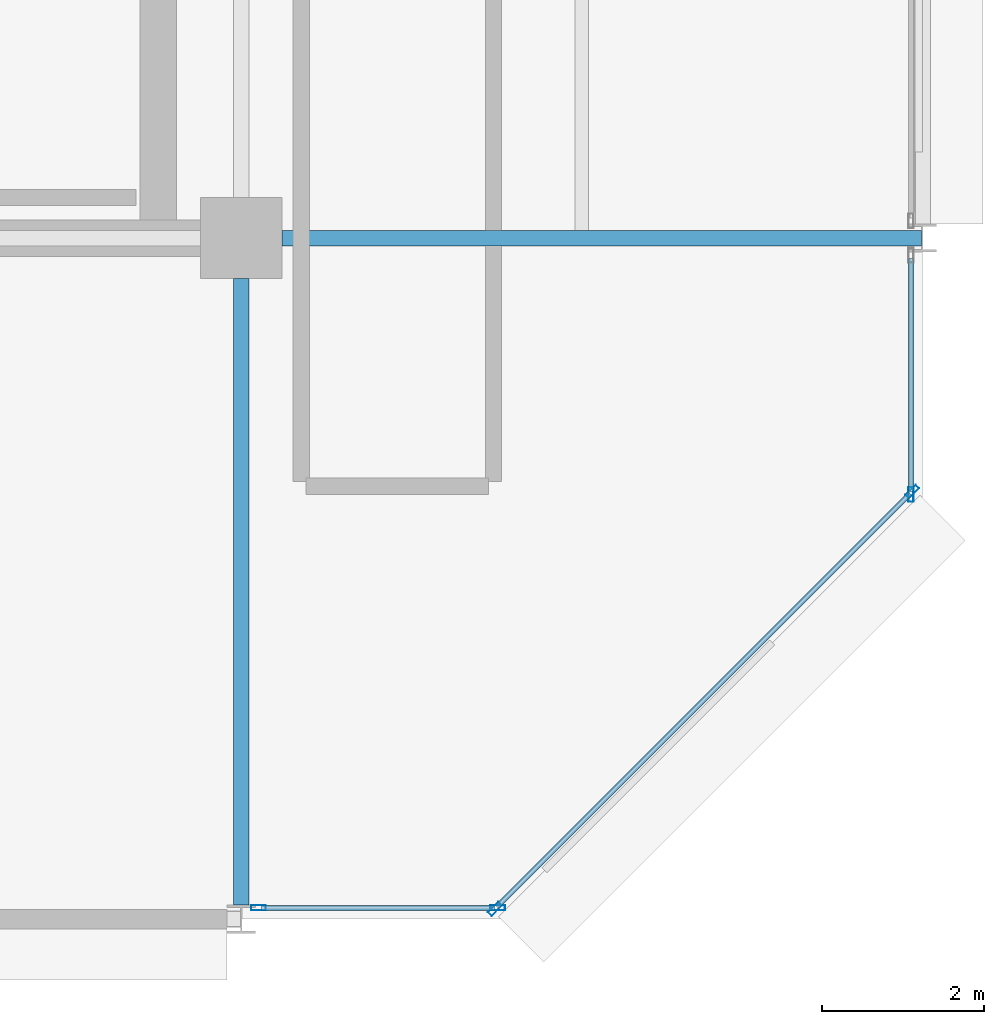
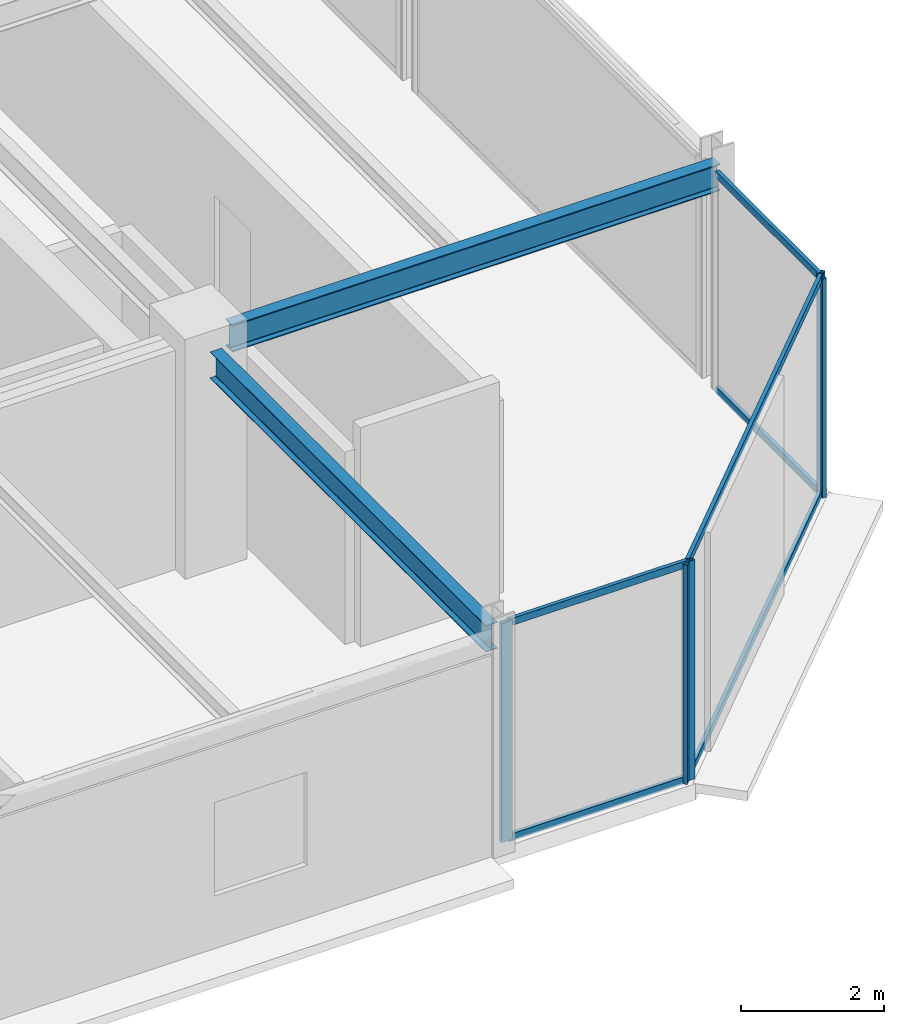
# One storey, part 13 of 26: 11 members, 2 beams, 3 elements without a shape of their own.
"""IFC4 building model written with IfcOpenShell, lengths in metres."""

from ifc_helpers import new_model, si_unit, direction, frame, origin, origin_2d, place, context, subcontext, project, spatial, hollow_rectangle, i_section, extrude, material, layer, layer_set, material_profile, profile_set, type_object, element, aggregate, save


model = new_model("IFC4")

# Units and contexts
model_context = context("Model", 3, precision=1e-05, world=origin(), true_north=direction((0.0, 1.0)))
body_context = subcontext(model_context, "Body", "Model", "MODEL_VIEW")
ifc_project = project(units=[si_unit("LENGTHUNIT", "METRE"), si_unit("AREAUNIT", "SQUARE_METRE"), si_unit("VOLUMEUNIT", "CUBIC_METRE"), si_unit("PLANEANGLEUNIT", "RADIAN"), si_unit("MASSUNIT", "GRAM", prefix="KILO")], contexts=[model_context])

# Site, building, storey
site_placement = place(None, origin())
site = spatial("IfcSite", under=ifc_project, at=site_placement, CompositionType="ELEMENT")
building_placement = place(site_placement, origin())
building = spatial("IfcBuilding", under=site, at=building_placement, Name="Nerrivon Quay Data Exchange", CompositionType="ELEMENT")
storey_placement = place(building_placement, frame((0.0, 0.0, 241.10009765625)))
storey = spatial("IfcBuildingStorey", under=building, at=storey_placement, Name="L57", CompositionType="ELEMENT", Elevation=241.10009765625)

# Beams
ifc_material_1 = material(Name="Steel Grade 350", Category="steel")
ifc_material_profile_1 = material_profile(ifc_material_1, i_section(OverallWidth=0.19091796875, OverallDepth=0.4599609375, WebThickness=0.010009765625, FlangeThickness=0.01611328125, FilletRadius=0.011474609375, at=origin_2d()), Name="460UB82.1")
ifc_profile_set_1 = profile_set([ifc_material_profile_1], Name="Steel Grade 350")
beam_type_1 = type_object("IfcBeamType", Name="BM-G5-460UB82", PredefinedType="BEAM", material=ifc_profile_set_1)
beam_1_placement = place(storey_placement, frame((34.10009765625, 8.39990234375, 3.52001953125), z_axis=(1.0, 0.0, 0.0), x_axis=(0.0, 1.0, 0.0)))
element("IfcBeam", 1, at=beam_1_placement, inside=storey, type_object=beam_type_1, Name="L57 EW Girder Y=8.4 (33.6..42.0)", PredefinedType="BEAM", context=body_context, shape_type="SweptSolid", body=[
    extrude(i_section(OverallWidth=0.19091796875, OverallDepth=0.4599609375, WebThickness=0.010009765625, FlangeThickness=0.01611328125, FilletRadius=0.011474609375, at=origin_2d()), origin(), (0.0, 0.0, 1.0), 7.889892578125),
])
ifc_material_profile_2 = material_profile(ifc_material_1, i_section(OverallWidth=0.18994140625, OverallDepth=0.4541015625, WebThickness=0.008544921875, FlangeThickness=0.0126953125, FilletRadius=0.011474609375, at=origin_2d()), Name="460UB67.1")
ifc_profile_set_2 = profile_set([ifc_material_profile_2], Name="Steel Grade 350")
beam_type_2 = type_object("IfcBeamType", Name="BM-G6-460UB67", PredefinedType="BEAM", material=ifc_profile_set_2)
beam_2_placement = place(storey_placement, frame((33.60009765625, 0.175048828125, 3.52294921875), z_axis=(0.0, 1.0, 0.0), x_axis=(-1.0, 0.0, 0.0)))
element("IfcBeam", 2, at=beam_2_placement, inside=storey, type_object=beam_type_2, Name="L57 NS Girder X=33.6 (0.0..8.4)", PredefinedType="BEAM", context=body_context, shape_type="SweptSolid", body=[
    extrude(i_section(OverallWidth=0.18994140625, OverallDepth=0.4541015625, WebThickness=0.008544921875, FlangeThickness=0.0126953125, FilletRadius=0.011474609375, at=origin_2d()), origin(), (0.0, 0.0, 1.0), 7.724853515625),
])

# Curtain wall, members
ifc_material_2 = material(Name="Anodised aluminium 6063-T6", Category="aluminium")
ifc_layer = layer(ifc_material_2, 0.195068359375)
ifc_layer_set = layer_set([ifc_layer], Name="Anodised aluminium 6063-T6")
curtain_wall_type = type_object("IfcCurtainWallType", Name="CW-SYS-06", PredefinedType="NOTDEFINED", material=ifc_layer_set)
curtain_wall_1_placement = place(storey_placement, origin())
curtain_wall_1 = element("IfcCurtainWall", 3, at=curtain_wall_1_placement, inside=storey, type_object=curtain_wall_type, Name="L57 Unitised Curtain Wall 1", PredefinedType="NOTDEFINED")
ifc_material_profile_3 = material_profile(ifc_material_2, hollow_rectangle(XDim=0.06494140625, YDim=0.179931640625, WallThickness=0.00341796875, at=origin_2d()), Name="ALU-MULL-180x65")
ifc_profile_set_3 = profile_set([ifc_material_profile_3], Name="Anodised aluminium 6063-T6")
member_type_1 = type_object("IfcMemberType", Name="CWM-180x65", PredefinedType="MULLION", material=ifc_profile_set_3)
member_1_placement = place(storey_placement, frame((41.87451171875, 5.2724609375, 0.0), z_axis=(0.0, 0.0, 1.0), x_axis=(0.707106781187, -0.707106781187, 0.0)))
member_1 = element("IfcMember", 4, at=member_1_placement, type_object=member_type_1, Name="CW06 mullion 1", PredefinedType="MULLION", context=body_context, shape_type="SweptSolid", body=[
    extrude(hollow_rectangle(XDim=0.06494140625, YDim=0.179931640625, WallThickness=0.00341796875, at=origin_2d()), origin(), (0.0, 0.0, 1.0), 3.75),
])
member_2_placement = place(storey_placement, frame((36.7275390625, 0.12548828125, 0.0), z_axis=(0.0, 0.0, 1.0), x_axis=(0.707106781187, -0.707106781187, 0.0)))
member_2 = element("IfcMember", 5, at=member_2_placement, type_object=member_type_1, Name="CW06 mullion 2", PredefinedType="MULLION", context=body_context, shape_type="SweptSolid", body=[
    extrude(hollow_rectangle(XDim=0.06494140625, YDim=0.179931640625, WallThickness=0.00341796875, at=origin_2d()), origin(), (0.0, 0.0, 1.0), 3.75),
])

curtain_wall_2_placement = place(storey_placement, origin())
curtain_wall_2 = element("IfcCurtainWall", 6, at=curtain_wall_2_placement, inside=storey, type_object=curtain_wall_type, Name="L57 Unitised Curtain Wall 2", PredefinedType="NOTDEFINED")
member_3_placement = place(storey_placement, frame((36.762451171875, 0.139892578125, 0.0), z_axis=(0.0, 0.0, 1.0), x_axis=(0.0, -1.0, 0.0)))
member_3 = element("IfcMember", 7, at=member_3_placement, type_object=member_type_1, Name="CW06 mullion 1", PredefinedType="MULLION", context=body_context, shape_type="SweptSolid", body=[
    extrude(hollow_rectangle(XDim=0.06494140625, YDim=0.179931640625, WallThickness=0.00341796875, at=origin_2d()), origin(), (0.0, 0.0, 1.0), 3.75),
])
member_4_placement = place(storey_placement, frame((33.8125, 0.139892578125, 0.0), z_axis=(0.0, 0.0, 1.0), x_axis=(0.0, -1.0, 0.0)))
member_4 = element("IfcMember", 8, at=member_4_placement, type_object=member_type_1, Name="CW06 mullion 2", PredefinedType="MULLION", context=body_context, shape_type="SweptSolid", body=[
    extrude(hollow_rectangle(XDim=0.06494140625, YDim=0.179931640625, WallThickness=0.00341796875, at=origin_2d()), origin(), (0.0, 0.0, 1.0), 3.75),
])

# Curtain wall, member
curtain_wall_3_placement = place(storey_placement, origin())
curtain_wall_3 = element("IfcCurtainWall", 9, at=curtain_wall_3_placement, inside=storey, type_object=curtain_wall_type, Name="L57 Unitised Curtain Wall 28", PredefinedType="NOTDEFINED")
member_5_placement = place(storey_placement, frame((41.860107421875, 5.237548828125, 0.0), z_axis=(0.0, 0.0, 1.0), x_axis=(1.0, 0.0, 0.0)))
member_5 = element("IfcMember", 10, at=member_5_placement, type_object=member_type_1, Name="CW06 mullion 2", PredefinedType="MULLION", context=body_context, shape_type="SweptSolid", body=[
    extrude(hollow_rectangle(XDim=0.06494140625, YDim=0.179931640625, WallThickness=0.00341796875, at=origin_2d()), origin(), (0.0, 0.0, 1.0), 3.75),
])

# Member
ifc_material_profile_4 = material_profile(ifc_material_2, hollow_rectangle(XDim=0.06005859375, YDim=0.1201171875, WallThickness=0.003173828125, at=origin_2d()), Name="ALU-TRAN-120x60")
ifc_profile_set_4 = profile_set([ifc_material_profile_4], Name="Anodised aluminium 6063-T6")
member_type_2 = type_object("IfcMemberType", Name="CWT-120x60", PredefinedType="USERDEFINED", material=ifc_profile_set_4)
member_6_placement = place(storey_placement, frame((41.847900390625, 5.245849609375, 0.032470703125), z_axis=(-0.707106781187, -0.707106781187, 0.0), x_axis=(0.707106781187, -0.707106781187, 0.0)))
member_6 = element("IfcMember", 11, at=member_6_placement, type_object=member_type_2, Name="CW06 transom 1.1", ObjectType="TRANSOM", PredefinedType="USERDEFINED", context=body_context, shape_type="SweptSolid", body=[
    extrude(hollow_rectangle(XDim=0.06005859375, YDim=0.1201171875, WallThickness=0.003173828125, at=origin_2d()), origin(), (0.0, 0.0, 1.0), 7.20361328125),
])

member_7_placement = place(storey_placement, frame((41.847900390625, 5.245849609375, 3.71728515625), z_axis=(-0.707106781187, -0.707106781187, 0.0), x_axis=(0.707106781187, -0.707106781187, 0.0)))
member_7 = element("IfcMember", 12, at=member_7_placement, type_object=member_type_2, Name="CW06 transom 1.2", ObjectType="TRANSOM", PredefinedType="USERDEFINED", context=body_context, shape_type="SweptSolid", body=[
    extrude(hollow_rectangle(XDim=0.06005859375, YDim=0.1201171875, WallThickness=0.003173828125, at=origin_2d()), origin(), (0.0, 0.0, 1.0), 7.20361328125),
])

aggregate(curtain_wall_1, [member_1, member_2, member_6, member_7])

member_8_placement = place(storey_placement, frame((36.72509765625, 0.139892578125, 0.032470703125), z_axis=(-1.0, 0.0, 0.0), x_axis=(0.0, -1.0, 0.0)))
member_8 = element("IfcMember", 13, at=member_8_placement, type_object=member_type_2, Name="CW06 transom 1.1", ObjectType="TRANSOM", PredefinedType="USERDEFINED", context=body_context, shape_type="SweptSolid", body=[
    extrude(hollow_rectangle(XDim=0.06005859375, YDim=0.1201171875, WallThickness=0.003173828125, at=origin_2d()), origin(), (0.0, 0.0, 1.0), 2.875),
])

member_9_placement = place(storey_placement, frame((36.72509765625, 0.139892578125, 3.71728515625), z_axis=(-1.0, 0.0, 0.0), x_axis=(0.0, -1.0, 0.0)))
member_9 = element("IfcMember", 14, at=member_9_placement, type_object=member_type_2, Name="CW06 transom 1.2", ObjectType="TRANSOM", PredefinedType="USERDEFINED", context=body_context, shape_type="SweptSolid", body=[
    extrude(hollow_rectangle(XDim=0.06005859375, YDim=0.1201171875, WallThickness=0.003173828125, at=origin_2d()), origin(), (0.0, 0.0, 1.0), 2.875),
])

aggregate(curtain_wall_2, [member_3, member_4, member_8, member_9])

member_10_placement = place(storey_placement, frame((41.860107421875, 8.14990234375, 0.032470703125), z_axis=(0.0, -1.0, 0.0), x_axis=(1.0, 0.0, 0.0)))
member_10 = element("IfcMember", 15, at=member_10_placement, type_object=member_type_2, Name="CW06 transom 1.1", ObjectType="TRANSOM", PredefinedType="USERDEFINED", context=body_context, shape_type="SweptSolid", body=[
    extrude(hollow_rectangle(XDim=0.06005859375, YDim=0.1201171875, WallThickness=0.003173828125, at=origin_2d()), origin(), (0.0, 0.0, 1.0), 2.875),
])

member_11_placement = place(storey_placement, frame((41.860107421875, 8.14990234375, 3.71728515625), z_axis=(0.0, -1.0, 0.0), x_axis=(1.0, 0.0, 0.0)))
member_11 = element("IfcMember", 16, at=member_11_placement, type_object=member_type_2, Name="CW06 transom 1.2", ObjectType="TRANSOM", PredefinedType="USERDEFINED", context=body_context, shape_type="SweptSolid", body=[
    extrude(hollow_rectangle(XDim=0.06005859375, YDim=0.1201171875, WallThickness=0.003173828125, at=origin_2d()), origin(), (0.0, 0.0, 1.0), 2.875),
])

aggregate(curtain_wall_3, [member_5, member_10, member_11])

save(model, "model.ifc")
